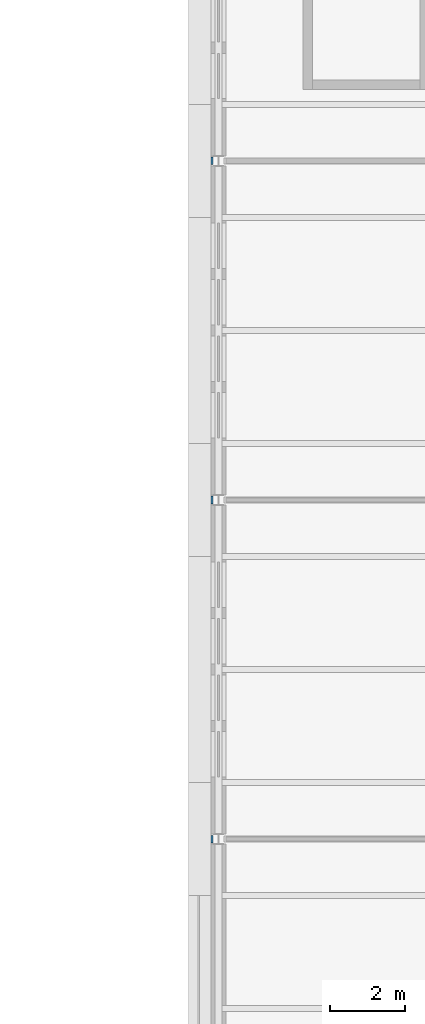
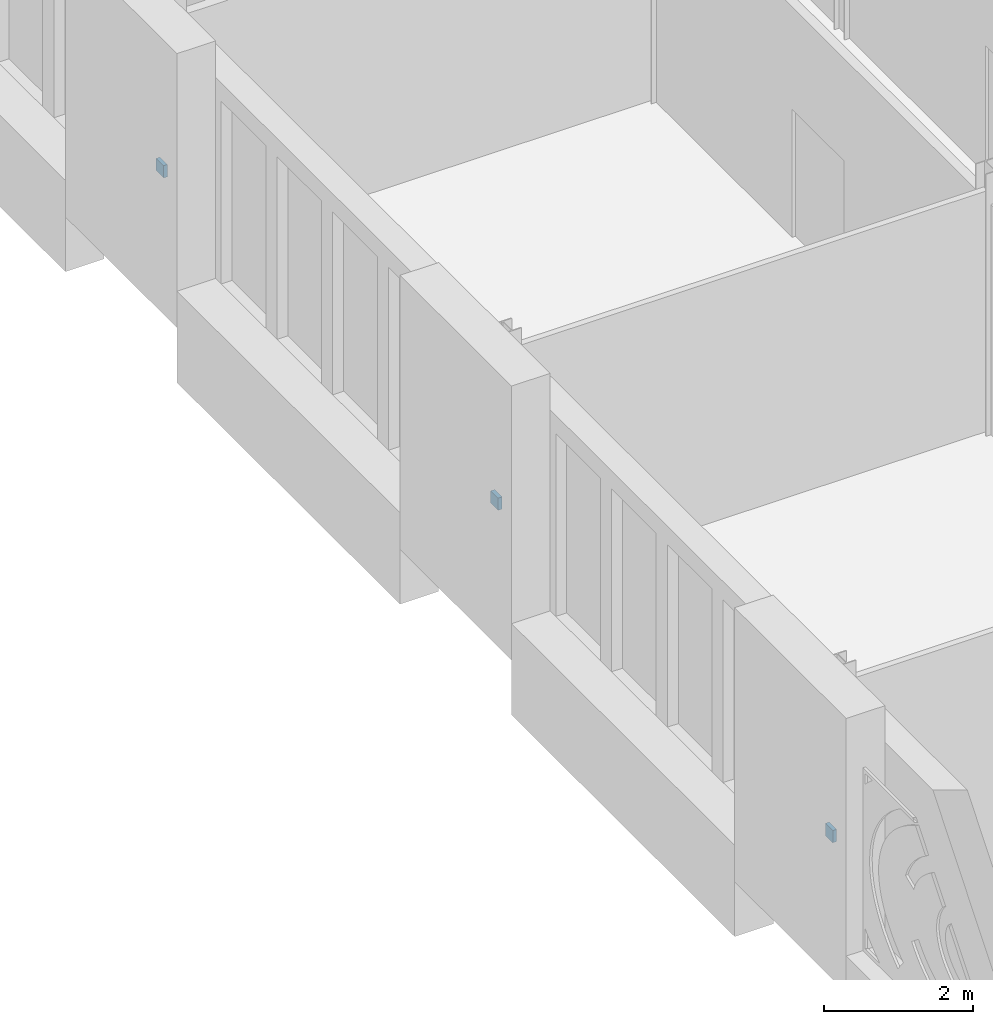
# One storey, part 100 of 134: 3 discrete accessories.
"""IFC4 building model written with IfcOpenShell, lengths in metres."""

from ifc_helpers import new_model, si_unit, direction, frame, origin, origin_2d, place, context, subcontext, project, spatial, rectangle, extrude, material, type_object, element, save


model = new_model("IFC4")

# Units and contexts
model_context = context("Model", 3, precision=1e-05, world=origin(), true_north=direction((0.0, 1.0)))
body_context = subcontext(model_context, "Body", "Model", "MODEL_VIEW")
ifc_project = project(units=[si_unit("LENGTHUNIT", "METRE"), si_unit("AREAUNIT", "SQUARE_METRE"), si_unit("VOLUMEUNIT", "CUBIC_METRE"), si_unit("PLANEANGLEUNIT", "RADIAN"), si_unit("MASSUNIT", "GRAM", prefix="KILO")], contexts=[model_context])

# Site, building, storey
site_placement = place(None, origin())
site = spatial("IfcSite", under=ifc_project, at=site_placement, CompositionType="ELEMENT")
building_placement = place(site_placement, origin())
building = spatial("IfcBuilding", under=site, at=building_placement, Name="Golden Quay Civic Hall", CompositionType="ELEMENT")
storey_placement = place(building_placement, frame((0.0, 0.0, 5.39990234375)))
storey = spatial("IfcBuildingStorey", under=building, at=storey_placement, Name="L01", CompositionType="ELEMENT", Elevation=5.39990234375)

# Discrete accessories
ifc_material = material(Name="Steel S355", Category="steel")
discrete_accessory_type = type_object("IfcDiscreteAccessoryType", Name="Pier fixing bracket 200 x 200", PredefinedType="BRACKET", material=ifc_material)
for number, where, z_axis, x_axis, name in (
    (1, (53.830078125, 27.0, 1.39990234375), (0.0, 0.0, 1.0), (0.0, -1.0, 0.0), "Pier fixing bracket 200 x 200 L01 14"),
    (2, (53.830078125, 36.0, 1.39990234375), (0.0, 0.0, 1.0), (0.0, -1.0, 0.0), "Pier fixing bracket 200 x 200 L01 15"),
    (3, (53.830078125, 45.0, 1.39990234375), (0.0, 0.0, 1.0), (0.0, -1.0, 0.0), "Pier fixing bracket 200 x 200 L01 16"),
):
    element("IfcDiscreteAccessory", number, at=place(storey_placement, frame(where, z_axis=z_axis, x_axis=x_axis)), inside=storey, type_object=discrete_accessory_type, Name=name, PredefinedType="BRACKET", context=body_context, shape_type="SweptSolid", body=[
        extrude(rectangle(XDim=0.199951171875, YDim=0.06005859375, at=origin_2d()), origin(), (0.0, 0.0, 1.0), 0.199951171875),
    ])

save(model, "model.ifc")
